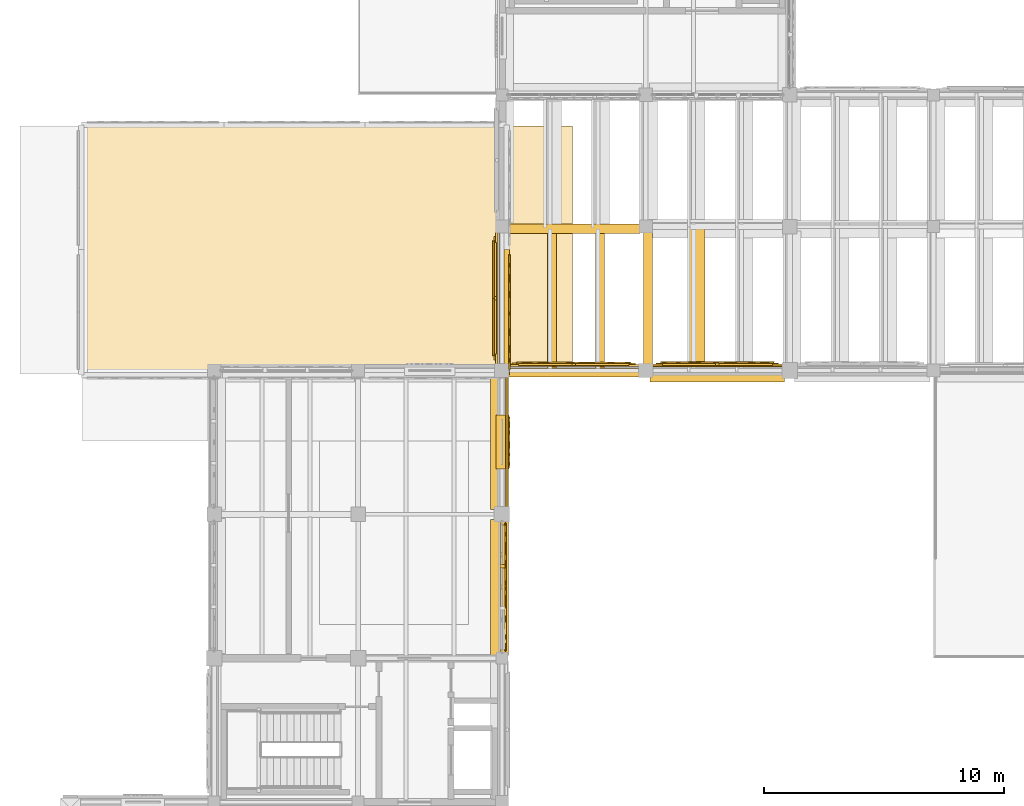
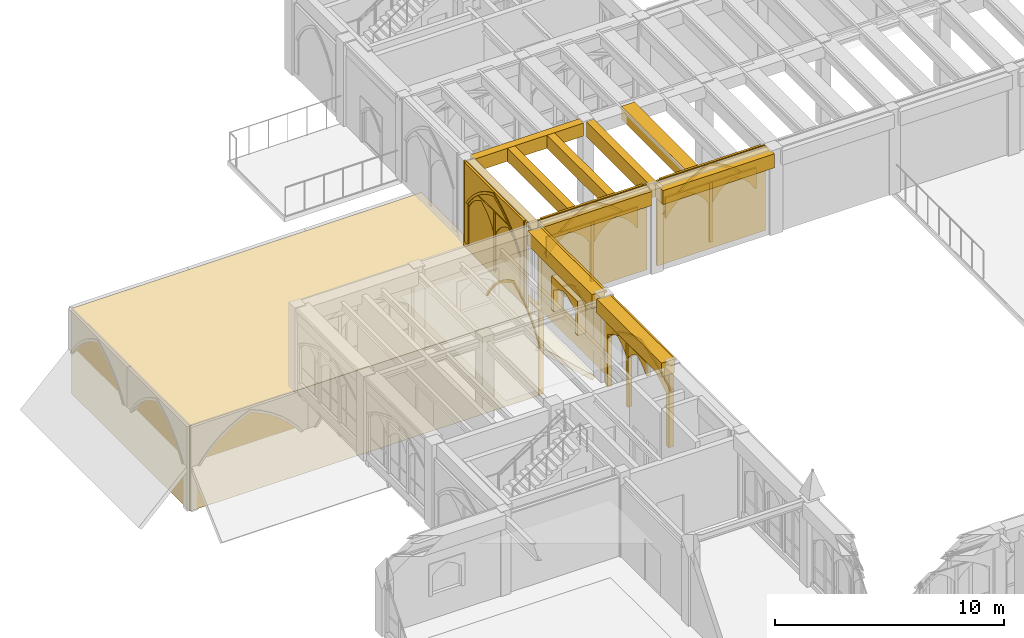
# One storey, part 97 of 127: 43 coverings.
"""IFC4 building model written with IfcOpenShell, lengths in metres."""

from ifc_helpers import new_model, si_unit, direction, frame, origin, origin_2d, place, context, subcontext, project, spatial, polyline, rectangle, outline, extrude, material, type_object, element, save


model = new_model("IFC4")

# Units and contexts
model_context = context("Model", 3, precision=1e-05, world=origin(), true_north=direction((0.0, 1.0)))
body_context = subcontext(model_context, "Body", "Model", "MODEL_VIEW")
ifc_project = project(units=[si_unit("LENGTHUNIT", "METRE"), si_unit("AREAUNIT", "SQUARE_METRE"), si_unit("VOLUMEUNIT", "CUBIC_METRE"), si_unit("PLANEANGLEUNIT", "RADIAN"), si_unit("MASSUNIT", "GRAM", prefix="KILO")], contexts=[model_context])

# Site, building, storey
site_placement = place(None, origin())
site = spatial("IfcSite", under=ifc_project, at=site_placement, CompositionType="ELEMENT")
building_placement = place(site_placement, origin())
building = spatial("IfcBuilding", under=site, at=building_placement, Name="Cumevento Cable Car Station", CompositionType="ELEMENT")
storey_placement = place(building_placement, frame((0.0, 0.0, 4.5)))
storey = spatial("IfcBuildingStorey", under=building, at=storey_placement, Name="L02", CompositionType="ELEMENT", Elevation=4.5)

# Coverings
ifc_material = material(Name="Gnaisse Facoidal Stone Ashlar 85 MPa", Category="masonry")
covering_type = type_object("IfcCoveringType", Name="Gnaisse Ashlar Cladding CV-CL01", PredefinedType="CLADDING", material=ifc_material)
covering_1_placement = place(storey_placement, frame((21.85009765625, 35.96240234375, 3.718017578125), z_axis=(0.0, 0.0, 1.0), x_axis=(0.0, -1.0, 0.0)))
element("IfcCovering", 1, at=covering_1_placement, inside=storey, type_object=covering_type, Name="Gothic Stone Spandrel Stringcourse sc:0348", PredefinedType="CLADDING", context=body_context, shape_type="SweptSolid", body=[
    extrude(rectangle(XDim=5.6650390625, YDim=0.659912109375, at=origin_2d()), origin(), (0.0, 0.0, 1.0), 0.7470703125),
])
covering_2_placement = place(storey_placement, frame((22.20751953125, 35.96240234375, 4.3349609375), z_axis=(0.0, 0.0, 1.0), x_axis=(0.0, -1.0, 0.0)))
element("IfcCovering", 2, at=covering_2_placement, inside=storey, type_object=covering_type, Name="Gothic Cornice Dripstone Lip sc:0348", PredefinedType="CLADDING", context=body_context, shape_type="SweptSolid", body=[
    extrude(rectangle(XDim=5.705078125, YDim=0.114990234375, at=origin_2d()), origin(), (0.0, 0.0, 1.0), 0.1298828125),
])
covering_3_placement = place(storey_placement, frame((21.85009765625, 42.012451171875, 3.682861328125), z_axis=(0.0, 0.0, 1.0), x_axis=(0.0, -1.0, 0.0)))
element("IfcCovering", 3, at=covering_3_placement, inside=storey, type_object=covering_type, Name="Gothic Stone Spandrel Stringcourse sc:0349", PredefinedType="CLADDING", context=body_context, shape_type="SweptSolid", body=[
    extrude(rectangle(XDim=5.614990234375, YDim=0.659912109375, at=origin_2d()), origin(), (0.0, 0.0, 1.0), 0.7470703125),
])
covering_4_placement = place(storey_placement, frame((22.20751953125, 42.012451171875, 4.300048828125), z_axis=(0.0, 0.0, 1.0), x_axis=(0.0, -1.0, 0.0)))
element("IfcCovering", 4, at=covering_4_placement, inside=storey, type_object=covering_type, Name="Gothic Cornice Dripstone Lip sc:0349", PredefinedType="CLADDING", context=body_context, shape_type="SweptSolid", body=[
    extrude(rectangle(XDim=5.655029296875, YDim=0.114990234375, at=origin_2d()), origin(), (0.0, 0.0, 1.0), 0.1298828125),
])
covering_5_placement = place(storey_placement, frame((25.0, 44.909912109375, 3.682861328125), z_axis=(0.0, 0.0, 1.0), x_axis=(1.0, 0.0, 0.0)))
element("IfcCovering", 5, at=covering_5_placement, inside=storey, type_object=covering_type, Name="Gothic Stone Spandrel Stringcourse sc:0350", PredefinedType="CLADDING", context=body_context, shape_type="SweptSolid", body=[
    extrude(rectangle(XDim=5.4599609375, YDim=0.3798828125, at=origin_2d()), origin(), (0.0, 0.0, 1.0), 0.7470703125),
])
covering_6_placement = place(storey_placement, frame((30.987548828125, 44.85009765625, 3.682861328125), z_axis=(0.0, 0.0, 1.0), x_axis=(1.0, 0.0, 0.0)))
element("IfcCovering", 6, at=covering_6_placement, inside=storey, type_object=covering_type, Name="Gothic Stone Spandrel Stringcourse sc:0351", PredefinedType="CLADDING", context=body_context, shape_type="SweptSolid", body=[
    extrude(rectangle(XDim=5.614990234375, YDim=0.659912109375, at=origin_2d()), origin(), (0.0, 0.0, 1.0), 0.7470703125),
])
covering_7_placement = place(storey_placement, frame((30.987548828125, 45.20751953125, 4.300048828125), z_axis=(0.0, 0.0, 1.0), x_axis=(1.0, 0.0, 0.0)))
element("IfcCovering", 7, at=covering_7_placement, inside=storey, type_object=covering_type, Name="Gothic Cornice Dripstone Lip sc:0351", PredefinedType="CLADDING", context=body_context, shape_type="SweptSolid", body=[
    extrude(rectangle(XDim=5.655029296875, YDim=0.114990234375, at=origin_2d()), origin(), (0.0, 0.0, 1.0), 0.1298828125),
])
covering_8_placement = place(storey_placement, frame((25.0, 50.909912109375, 3.73583984375), z_axis=(0.0, 0.0, 1.0), x_axis=(1.0, 0.0, 0.0)))
element("IfcCovering", 8, at=covering_8_placement, inside=storey, type_object=covering_type, Name="Gothic Stone Spandrel Stringcourse sc:0355", PredefinedType="CLADDING", context=body_context, shape_type="SweptSolid", body=[
    extrude(rectangle(XDim=5.510009765625, YDim=0.3798828125, at=origin_2d()), origin(), (0.0, 0.0, 1.0), 0.694091796875),
])
covering_9_placement = place(storey_placement, frame((22.090087890625, 48.012451171875, 3.682861328125), z_axis=(0.0, 0.0, 1.0), x_axis=(0.0, 1.0, 0.0)))
element("IfcCovering", 9, at=covering_9_placement, inside=storey, type_object=covering_type, Name="Gothic Stone Spandrel Stringcourse sc:0365", PredefinedType="CLADDING", context=body_context, shape_type="SweptSolid", body=[
    extrude(rectangle(XDim=5.485107421875, YDim=0.3798828125, at=origin_2d()), origin(), (0.0, 0.0, 1.0), 0.7470703125),
])
covering_10_placement = place(storey_placement, frame((28.090087890625, 48.012451171875, 3.6328125), z_axis=(0.0, 0.0, 1.0), x_axis=(0.0, 1.0, 0.0)))
element("IfcCovering", 10, at=covering_10_placement, inside=storey, type_object=covering_type, Name="Gothic Stone Spandrel Stringcourse sc:0367", PredefinedType="CLADDING", context=body_context, shape_type="SweptSolid", body=[
    extrude(rectangle(XDim=5.485107421875, YDim=0.3798828125, at=origin_2d()), origin(), (0.0, 0.0, 1.0), 0.797119140625),
])
for number, where, z_axis, x_axis, name in (
    (11, (24.090087890625, 47.9931640625, 3.73486328125), (0.0, 0.0, 1.0), (0.0, 1.0, 0.0), "Gothic Stone Spandrel Stringcourse sc:0492"),
    (12, (26.090087890625, 47.9931640625, 3.73486328125), (0.0, 0.0, 1.0), (0.0, 1.0, 0.0), "Gothic Stone Spandrel Stringcourse sc:0494"),
):
    element("IfcCovering", number, at=place(storey_placement, frame(where, z_axis=z_axis, x_axis=x_axis)), inside=storey, type_object=covering_type, Name=name, PredefinedType="CLADDING", context=body_context, shape_type="SweptSolid", body=[
        extrude(rectangle(XDim=5.892578125, YDim=0.3798828125, at=origin_2d()), origin(), (0.0, 0.0, 1.0), 0.695068359375),
    ])
covering_11_placement = place(storey_placement, frame((30.14990234375, 47.98095703125, 3.73486328125), z_axis=(0.0, 0.0, 1.0), x_axis=(0.0, 1.0, 0.0)))
element("IfcCovering", 13, at=covering_11_placement, inside=storey, type_object=covering_type, Name="Gothic Stone Spandrel Stringcourse sc:0496", PredefinedType="CLADDING", context=body_context, shape_type="SweptSolid", body=[
    extrude(rectangle(XDim=6.048095703125, YDim=0.659912109375, at=origin_2d()), origin(), (0.0, 0.0, 1.0), 0.695068359375),
])
placement_1 = place(storey_placement, frame((22.0, 38.675048828125, -0.219970703125), z_axis=(0.0, 0.0, 1.0), x_axis=(0.0, -1.0, 0.0)))
element("IfcCovering", 14, at=placement_1, inside=storey, type_object=covering_type, Name="Gothic Ogival Pointed-Arch Stone Spandrel cw_ogival:0054", PredefinedType="CLADDING", context=body_context, shape_type="SweptSolid", body=[
    extrude(outline(polyline([(-0.080078125, 0.0), (-0.080078125, 4.077880859375), (5.5048828125, 4.077880859375), (5.5048828125, 0.0), (5.264892578125, 0.0), (5.264892578125, 2.803466796875), (4.969970703125, 2.988037109375), (4.66650390625, 3.158935546875), (4.355712890625, 3.315673828125), (4.0380859375, 3.4580078125), (3.71435546875, 3.585693359375), (3.385009765625, 3.698486328125), (3.05078125, 3.7958984375), (2.71240234375, 3.8779296875), (2.374267578125, 3.7958984375), (2.0400390625, 3.698486328125), (1.710693359375, 3.585693359375), (1.386962890625, 3.4580078125), (1.0693359375, 3.315673828125), (0.758544921875, 3.158935546875), (0.455078125, 2.988037109375), (0.159912109375, 2.803466796875), (0.159912109375, 0.0), (-0.080078125, 0.0)])), frame((0.0, 0.139892578125, 0.0), z_axis=(0.0, -1.0, 0.0), x_axis=(1.0, 0.0, 0.0)), (0.0, 0.0, 1.0), 0.219970703125),
])
covering_13_placement = place(storey_placement, frame((22.0, 38.675048828125, 2.58349609375), z_axis=(0.0, 0.0, 1.0), x_axis=(0.0, -1.0, 0.0)))
element("IfcCovering", 15, at=covering_13_placement, inside=storey, type_object=covering_type, Name="Gothic Pointed Archivolt Hood Moulding cw_ogival:0054", PredefinedType="CLADDING", context=body_context, shape_type="SweptSolid", body=[
    extrude(outline(polyline([(0.159912109375, 0.0), (0.455078125, 0.1845703125), (0.758544921875, 0.35546875), (1.0693359375, 0.51220703125), (1.386962890625, 0.654541015625), (1.710693359375, 0.7822265625), (2.0400390625, 0.89501953125), (2.374267578125, 0.992431640625), (2.71240234375, 1.074462890625), (3.05078125, 0.992431640625), (3.385009765625, 0.89501953125), (3.71435546875, 0.7822265625), (4.0380859375, 0.654541015625), (4.355712890625, 0.51220703125), (4.66650390625, 0.35546875), (4.969970703125, 0.1845703125), (5.264892578125, 0.0), (5.375, 0.0), (5.071044921875, 0.20751953125), (4.75732421875, 0.39990234375), (4.4345703125, 0.57666015625), (4.103515625, 0.7373046875), (3.764892578125, 0.88134765625), (3.419677734375, 1.0087890625), (3.068603515625, 1.119140625), (2.71240234375, 1.2119140625), (2.3564453125, 1.119140625), (2.00537109375, 1.0087890625), (1.66015625, 0.88134765625), (1.321533203125, 0.7373046875), (0.990478515625, 0.57666015625), (0.667724609375, 0.39990234375), (0.35400390625, 0.20751953125), (0.050048828125, 0.0), (0.159912109375, 0.0)])), frame((0.0, 0.181884765625, 0.0), z_axis=(0.0, -1.0, 0.0), x_axis=(1.0, 0.0, 0.0)), (0.0, 0.0, 1.0), 0.06689453125),
])
element("IfcCovering", 16, at=placement_1, inside=storey, type_object=covering_type, Name="Gothic Bifora Stone Colonnette cw_ogival:0054 #1", PredefinedType="CLADDING", context=body_context, shape_type="SweptSolid", body=[
    extrude(outline(polyline([(1.76171875, -0.02001953125), (1.91162109375, -0.02001953125), (1.91162109375, 3.3623046875), (1.76171875, 3.3623046875), (1.76171875, -0.02001953125)])), frame((0.0, 0.1279296875, 0.0), z_axis=(0.0, -1.0, 0.0), x_axis=(1.0, 0.0, 0.0)), (0.0, 0.0, 1.0), 0.205078125),
])
for number, where, z_axis, x_axis, name in (
    (17, (22.0, 38.544921875, 2.403564453125), (0.0, 0.0, 1.0), (0.0, -1.0, 0.0), "Gothic Ogival Pointed-Arch Stone Spandrel cw_ogival:0054:sub:0"),
    (18, (22.0, 36.793212890625, 2.403564453125), (0.0, 0.0, 1.0), (0.0, -1.0, 0.0), "Gothic Ogival Pointed-Arch Stone Spandrel cw_ogival:0054:sub:1"),
):
    element("IfcCovering", number, at=place(storey_placement, frame(where, z_axis=z_axis, x_axis=x_axis)), inside=storey, type_object=covering_type, Name=name, PredefinedType="CLADDING", context=body_context, shape_type="SweptSolid", body=[
        extrude(outline(polyline([(-0.02001953125, 0.0), (-0.02001953125, 0.73876953125), (1.681640625, 0.73876953125), (1.681640625, 0.0), (1.62158203125, 0.0), (1.5185546875, 0.135009765625), (1.402099609375, 0.2587890625), (1.27392578125, 0.3701171875), (1.134765625, 0.468017578125), (0.986572265625, 0.551025390625), (0.830810546875, 0.61865234375), (0.675048828125, 0.551025390625), (0.52685546875, 0.468017578125), (0.3876953125, 0.3701171875), (0.259521484375, 0.2587890625), (0.14306640625, 0.135009765625), (0.0400390625, 0.0), (-0.02001953125, 0.0)])), frame((0.0, 0.1240234375, 0.0), z_axis=(0.0, -1.0, 0.0), x_axis=(1.0, 0.0, 0.0)), (0.0, 0.0, 1.0), 0.199951171875),
    ])
covering_15_placement = place(storey_placement, frame((22.300048828125, 45.0, 0.0), z_axis=(0.0, 0.0, 1.0), x_axis=(1.0, 0.0, 0.0)))
element("IfcCovering", 19, at=covering_15_placement, inside=storey, type_object=covering_type, Name="Exterior Gnaisse Stone Wall Ashlar #21", PredefinedType="CLADDING", context=body_context, shape_type="SweptSolid", body=[
    extrude(outline(polyline([(-0.0400390625, -0.02001953125), (5.43994140625, -0.02001953125), (5.43994140625, 4.52001953125), (-0.0400390625, 4.52001953125), (-0.0400390625, -0.02001953125)])), frame((0.0, 0.25, 0.0), z_axis=(0.0, -1.0, 0.0), x_axis=(1.0, 0.0, 0.0)), (0.0, 0.0, 1.0), 0.0849609375),
])
placement_2 = place(storey_placement, frame((22.47998046875, 45.0, 0.300048828125), z_axis=(0.0, 0.0, 1.0), x_axis=(1.0, 0.0, 0.0)))
element("IfcCovering", 20, at=placement_2, inside=storey, type_object=covering_type, Name="Gothic Ogival Pointed-Arch Stone Spandrel blind_ogival:0021", PredefinedType="CLADDING", context=body_context, shape_type="SweptSolid", body=[
    extrude(outline(polyline([(-0.050048828125, 0.0), (-0.050048828125, 4.239990234375), (5.090087890625, 4.239990234375), (5.090087890625, 0.0), (4.780029296875, 0.0), (4.780029296875, 2.219970703125), (4.531982421875, 2.55810546875), (4.255126953125, 2.872802734375), (3.951416015625, 3.161865234375), (3.62353515625, 3.423095703125), (3.273681640625, 3.654296875), (2.905029296875, 3.853759765625), (2.52001953125, 4.02001953125), (2.135009765625, 3.853759765625), (1.766357421875, 3.654296875), (1.41650390625, 3.423095703125), (1.088623046875, 3.161865234375), (0.784912109375, 2.872802734375), (0.508056640625, 2.55810546875), (0.260009765625, 2.219970703125), (0.260009765625, 0.0), (-0.050048828125, 0.0)])), frame((0.0, 0.304931640625, 0.0), z_axis=(0.0, -1.0, 0.0), x_axis=(1.0, 0.0, 0.0)), (0.0, 0.0, 1.0), 0.110107421875),
])
covering_17_placement = place(storey_placement, frame((22.47998046875, 45.0, 2.52001953125), z_axis=(0.0, 0.0, 1.0), x_axis=(1.0, 0.0, 0.0)))
element("IfcCovering", 21, at=covering_17_placement, inside=storey, type_object=covering_type, Name="Gothic Pointed Archivolt Hood Moulding blind_ogival:0021", PredefinedType="CLADDING", context=body_context, shape_type="SweptSolid", body=[
    extrude(outline(polyline([(0.260009765625, 0.0), (0.508056640625, 0.338134765625), (0.784912109375, 0.65283203125), (1.088623046875, 0.94189453125), (1.41650390625, 1.203125), (1.766357421875, 1.434326171875), (2.135009765625, 1.6337890625), (2.52001953125, 1.800048828125), (2.905029296875, 1.6337890625), (3.273681640625, 1.434326171875), (3.62353515625, 1.203125), (3.951416015625, 0.94189453125), (4.255126953125, 0.65283203125), (4.531982421875, 0.338134765625), (4.780029296875, 0.0), (4.90087890625, 0.0), (4.6435546875, 0.365478515625), (4.354248046875, 0.706298828125), (4.03564453125, 1.01953125), (3.689697265625, 1.302978515625), (3.31982421875, 1.553955078125), (2.928955078125, 1.770751953125), (2.52001953125, 1.951171875), (2.111083984375, 1.770751953125), (1.72021484375, 1.553955078125), (1.350341796875, 1.302978515625), (1.00439453125, 1.01953125), (0.685791015625, 0.706298828125), (0.396484375, 0.365478515625), (0.138916015625, 0.0), (0.260009765625, 0.0)])), frame((0.0, 0.346923828125, 0.0), z_axis=(0.0, -1.0, 0.0), x_axis=(1.0, 0.0, 0.0)), (0.0, 0.0, 1.0), 0.06689453125),
])
element("IfcCovering", 22, at=placement_2, inside=storey, type_object=covering_type, Name="Gothic Bifora Stone Colonnette blind_ogival:0021 #1", PredefinedType="CLADDING", context=body_context, shape_type="SweptSolid", body=[
    extrude(outline(polyline([(2.445068359375, -0.02001953125), (2.594970703125, -0.02001953125), (2.594970703125, 3.156005859375), (2.445068359375, 3.156005859375), (2.445068359375, -0.02001953125)])), frame((0.0, 0.29296875, 0.0), z_axis=(0.0, -1.0, 0.0), x_axis=(1.0, 0.0, 0.0)), (0.0, 0.0, 1.0), 0.094970703125),
])
for number, where, z_axis, x_axis, name in (
    (23, (22.7099609375, 45.0, 2.340087890625), (0.0, 0.0, 1.0), (1.0, 0.0, 0.0), "Gothic Ogival Pointed-Arch Stone Spandrel blind_ogival:0021:sub:0"),
    (24, (25.044921875, 45.0, 2.340087890625), (0.0, 0.0, 1.0), (1.0, 0.0, 0.0), "Gothic Ogival Pointed-Arch Stone Spandrel blind_ogival:0021:sub:1"),
):
    element("IfcCovering", number, at=place(storey_placement, frame(where, z_axis=z_axis, x_axis=x_axis)), inside=storey, type_object=covering_type, Name=name, PredefinedType="CLADDING", context=body_context, shape_type="SweptSolid", body=[
        extrude(outline(polyline([(-0.02001953125, 0.0), (-0.02001953125, 1.115966796875), (2.264892578125, 1.115966796875), (2.264892578125, 0.0), (2.205078125, 0.0), (2.076171875, 0.214111328125), (1.923828125, 0.412109375), (1.75, 0.591552734375), (1.556640625, 0.75), (1.3466796875, 0.88525390625), (1.12255859375, 0.99609375), (0.8984375, 0.88525390625), (0.6884765625, 0.75), (0.4951171875, 0.591552734375), (0.3212890625, 0.412109375), (0.1689453125, 0.214111328125), (0.0400390625, 0.0), (-0.02001953125, 0.0)])), frame((0.0, 0.2890625, 0.0), z_axis=(0.0, -1.0, 0.0), x_axis=(1.0, 0.0, 0.0)), (0.0, 0.0, 1.0), 0.090087890625),
    ])
covering_19_placement = place(storey_placement, frame((28.300048828125, 45.0, 0.0), z_axis=(0.0, 0.0, 1.0), x_axis=(1.0, 0.0, 0.0)))
element("IfcCovering", 25, at=covering_19_placement, inside=storey, type_object=covering_type, Name="Exterior Gnaisse Stone Wall Ashlar #22", PredefinedType="CLADDING", context=body_context, shape_type="SweptSolid", body=[
    extrude(outline(polyline([(-0.0400390625, -0.02001953125), (5.4150390625, -0.02001953125), (5.4150390625, 4.52001953125), (-0.0400390625, 4.52001953125), (-0.0400390625, -0.02001953125)])), frame((0.0, 0.262451171875, 0.0), z_axis=(0.0, -1.0, 0.0), x_axis=(1.0, 0.0, 0.0)), (0.0, 0.0, 1.0), 0.0849609375),
])
placement_3 = place(storey_placement, frame((28.47998046875, 45.0, 0.300048828125), z_axis=(0.0, 0.0, 1.0), x_axis=(1.0, 0.0, 0.0)))
element("IfcCovering", 26, at=placement_3, inside=storey, type_object=covering_type, Name="Gothic Ogival Pointed-Arch Stone Spandrel blind_ogival:0022", PredefinedType="CLADDING", context=body_context, shape_type="SweptSolid", body=[
    extrude(outline(polyline([(-0.050048828125, 0.0), (-0.050048828125, 4.239990234375), (5.06494140625, 4.239990234375), (5.06494140625, 0.0), (4.7548828125, 0.0), (4.7548828125, 2.219970703125), (4.509033203125, 2.557861328125), (4.23388671875, 2.87255859375), (3.932373046875, 3.16162109375), (3.60595703125, 3.4228515625), (3.258056640625, 3.654296875), (2.890869140625, 3.853759765625), (2.507568359375, 4.02001953125), (2.1240234375, 3.853759765625), (1.7568359375, 3.654296875), (1.408935546875, 3.4228515625), (1.08251953125, 3.16162109375), (0.781005859375, 2.87255859375), (0.505859375, 2.557861328125), (0.260009765625, 2.219970703125), (0.260009765625, 0.0), (-0.050048828125, 0.0)])), frame((0.0, 0.3173828125, 0.0), z_axis=(0.0, -1.0, 0.0), x_axis=(1.0, 0.0, 0.0)), (0.0, 0.0, 1.0), 0.110107421875),
])
covering_21_placement = place(storey_placement, frame((28.47998046875, 45.0, 2.52001953125), z_axis=(0.0, 0.0, 1.0), x_axis=(1.0, 0.0, 0.0)))
element("IfcCovering", 27, at=covering_21_placement, inside=storey, type_object=covering_type, Name="Gothic Pointed Archivolt Hood Moulding blind_ogival:0022", PredefinedType="CLADDING", context=body_context, shape_type="SweptSolid", body=[
    extrude(outline(polyline([(0.260009765625, 0.0), (0.505859375, 0.337890625), (0.781005859375, 0.652587890625), (1.08251953125, 0.941650390625), (1.408935546875, 1.202880859375), (1.7568359375, 1.434326171875), (2.1240234375, 1.6337890625), (2.507568359375, 1.800048828125), (2.890869140625, 1.6337890625), (3.258056640625, 1.434326171875), (3.60595703125, 1.202880859375), (3.932373046875, 0.941650390625), (4.23388671875, 0.652587890625), (4.509033203125, 0.337890625), (4.7548828125, 0.0), (4.8759765625, 0.0), (4.62060546875, 0.365234375), (4.333251953125, 0.7060546875), (4.016357421875, 1.019287109375), (3.67236328125, 1.302734375), (3.30419921875, 1.5537109375), (2.914794921875, 1.7705078125), (2.507568359375, 1.951171875), (2.10009765625, 1.7705078125), (1.710693359375, 1.5537109375), (1.342529296875, 1.302734375), (0.99853515625, 1.019287109375), (0.681640625, 0.7060546875), (0.394287109375, 0.365234375), (0.138916015625, 0.0), (0.260009765625, 0.0)])), frame((0.0, 0.359619140625, 0.0), z_axis=(0.0, -1.0, 0.0), x_axis=(1.0, 0.0, 0.0)), (0.0, 0.0, 1.0), 0.06689453125),
])
element("IfcCovering", 28, at=placement_3, inside=storey, type_object=covering_type, Name="Gothic Bifora Stone Colonnette blind_ogival:0022 #1", PredefinedType="CLADDING", context=body_context, shape_type="SweptSolid", body=[
    extrude(outline(polyline([(2.4326171875, -0.02001953125), (2.58251953125, -0.02001953125), (2.58251953125, 3.156005859375), (2.4326171875, 3.156005859375), (2.4326171875, -0.02001953125)])), frame((0.0, 0.305419921875, 0.0), z_axis=(0.0, -1.0, 0.0), x_axis=(1.0, 0.0, 0.0)), (0.0, 0.0, 1.0), 0.094970703125),
])
for number, where, z_axis, x_axis, name in (
    (29, (28.7099609375, 45.0, 2.340087890625), (0.0, 0.0, 1.0), (1.0, 0.0, 0.0), "Gothic Ogival Pointed-Arch Stone Spandrel blind_ogival:0022:sub:0"),
    (30, (31.032470703125, 45.0, 2.340087890625), (0.0, 0.0, 1.0), (1.0, 0.0, 0.0), "Gothic Ogival Pointed-Arch Stone Spandrel blind_ogival:0022:sub:1"),
):
    element("IfcCovering", number, at=place(storey_placement, frame(where, z_axis=z_axis, x_axis=x_axis)), inside=storey, type_object=covering_type, Name=name, PredefinedType="CLADDING", context=body_context, shape_type="SweptSolid", body=[
        extrude(outline(polyline([(-0.02001953125, 0.0), (-0.02001953125, 1.115966796875), (2.25244140625, 1.115966796875), (2.25244140625, 0.0), (2.1923828125, 0.0), (2.064697265625, 0.2138671875), (1.91357421875, 0.411865234375), (1.74072265625, 0.59130859375), (1.54833984375, 0.749755859375), (1.33935546875, 0.88525390625), (1.1162109375, 0.99609375), (0.89306640625, 0.88525390625), (0.68408203125, 0.749755859375), (0.49169921875, 0.59130859375), (0.31884765625, 0.411865234375), (0.167724609375, 0.2138671875), (0.0400390625, 0.0), (-0.02001953125, 0.0)])), frame((0.0, 0.301513671875, 0.0), z_axis=(0.0, -1.0, 0.0), x_axis=(1.0, 0.0, 0.0)), (0.0, 0.0, 1.0), 0.090087890625),
    ])
covering_23_placement = place(storey_placement, frame((22.0, 45.300048828125, 0.0), z_axis=(0.0, 0.0, 1.0), x_axis=(0.0, 1.0, 0.0)))
element("IfcCovering", 31, at=covering_23_placement, inside=storey, type_object=covering_type, Name="Exterior Gnaisse Stone Wall Ashlar #29", PredefinedType="CLADDING", context=body_context, shape_type="SweptSolid", body=[
    extrude(outline(polyline([(-0.0400390625, -0.02001953125), (5.465087890625, -0.02001953125), (5.465087890625, 4.52001953125), (-0.0400390625, 4.52001953125), (-0.0400390625, -0.02001953125)])), frame((0.0, 0.27490234375, 0.0), z_axis=(0.0, -1.0, 0.0), x_axis=(1.0, 0.0, 0.0)), (0.0, 0.0, 1.0), 0.0849609375),
])
placement_4 = place(storey_placement, frame((22.0, 45.47998046875, 0.300048828125), z_axis=(0.0, 0.0, 1.0), x_axis=(0.0, 1.0, 0.0)))
element("IfcCovering", 32, at=placement_4, inside=storey, type_object=covering_type, Name="Gothic Ogival Pointed-Arch Stone Spandrel blind_ogival:0029", PredefinedType="CLADDING", context=body_context, shape_type="SweptSolid", body=[
    extrude(outline(polyline([(-0.050048828125, 0.0), (-0.050048828125, 4.239990234375), (5.114990234375, 4.239990234375), (5.114990234375, 0.0), (4.804931640625, 0.0), (4.804931640625, 2.219970703125), (4.554931640625, 2.55810546875), (4.27587890625, 2.873046875), (3.970458984375, 3.162109375), (3.640625, 3.42333984375), (3.289306640625, 3.654541015625), (2.9189453125, 3.85400390625), (2.532470703125, 4.02001953125), (2.14599609375, 3.85400390625), (1.775634765625, 3.654541015625), (1.42431640625, 3.42333984375), (1.094482421875, 3.162109375), (0.7890625, 2.873046875), (0.510009765625, 2.55810546875), (0.260009765625, 2.219970703125), (0.260009765625, 0.0), (-0.050048828125, 0.0)])), frame((0.0, 0.330078125, 0.0), z_axis=(0.0, -1.0, 0.0), x_axis=(1.0, 0.0, 0.0)), (0.0, 0.0, 1.0), 0.110107421875),
])
covering_25_placement = place(storey_placement, frame((22.0, 45.47998046875, 2.52001953125), z_axis=(0.0, 0.0, 1.0), x_axis=(0.0, 1.0, 0.0)))
element("IfcCovering", 33, at=covering_25_placement, inside=storey, type_object=covering_type, Name="Gothic Pointed Archivolt Hood Moulding blind_ogival:0029", PredefinedType="CLADDING", context=body_context, shape_type="SweptSolid", body=[
    extrude(outline(polyline([(0.260009765625, 0.0), (0.510009765625, 0.338134765625), (0.7890625, 0.653076171875), (1.094482421875, 0.942138671875), (1.42431640625, 1.203369140625), (1.775634765625, 1.4345703125), (2.14599609375, 1.634033203125), (2.532470703125, 1.800048828125), (2.9189453125, 1.634033203125), (3.289306640625, 1.4345703125), (3.640625, 1.203369140625), (3.970458984375, 0.942138671875), (4.27587890625, 0.653076171875), (4.554931640625, 0.338134765625), (4.804931640625, 0.0), (4.926025390625, 0.0), (4.66650390625, 0.36572265625), (4.375244140625, 0.70654296875), (4.054443359375, 1.019775390625), (3.70703125, 1.30322265625), (3.33544921875, 1.55419921875), (2.94287109375, 1.770751953125), (2.532470703125, 1.951171875), (2.1220703125, 1.770751953125), (1.7294921875, 1.55419921875), (1.35791015625, 1.30322265625), (1.010498046875, 1.019775390625), (0.689697265625, 0.70654296875), (0.3984375, 0.36572265625), (0.138916015625, 0.0), (0.260009765625, 0.0)])), frame((0.0, 0.3720703125, 0.0), z_axis=(0.0, -1.0, 0.0), x_axis=(1.0, 0.0, 0.0)), (0.0, 0.0, 1.0), 0.06689453125),
])
element("IfcCovering", 34, at=placement_4, inside=storey, type_object=covering_type, Name="Gothic Bifora Stone Colonnette blind_ogival:0029 #1", PredefinedType="CLADDING", context=body_context, shape_type="SweptSolid", body=[
    extrude(outline(polyline([(2.45751953125, -0.02001953125), (2.607421875, -0.02001953125), (2.607421875, 3.156005859375), (2.45751953125, 3.156005859375), (2.45751953125, -0.02001953125)])), frame((0.0, 0.318115234375, 0.0), z_axis=(0.0, -1.0, 0.0), x_axis=(1.0, 0.0, 0.0)), (0.0, 0.0, 1.0), 0.094970703125),
])
for number, where, z_axis, x_axis, name in (
    (35, (22.0, 45.7099609375, 2.340087890625), (0.0, 0.0, 1.0), (0.0, 1.0, 0.0), "Gothic Ogival Pointed-Arch Stone Spandrel blind_ogival:0029:sub:0"),
    (36, (22.0, 48.0576171875, 2.340087890625), (0.0, 0.0, 1.0), (0.0, 1.0, 0.0), "Gothic Ogival Pointed-Arch Stone Spandrel blind_ogival:0029:sub:1"),
):
    element("IfcCovering", number, at=place(storey_placement, frame(where, z_axis=z_axis, x_axis=x_axis)), inside=storey, type_object=covering_type, Name=name, PredefinedType="CLADDING", context=body_context, shape_type="SweptSolid", body=[
        extrude(outline(polyline([(-0.02001953125, 0.0), (-0.02001953125, 1.115966796875), (2.277587890625, 1.115966796875), (2.277587890625, 0.0), (2.217529296875, 0.0), (2.08740234375, 0.214111328125), (1.933837890625, 0.412353515625), (1.7587890625, 0.591796875), (1.564697265625, 0.75), (1.353759765625, 0.885498046875), (1.128662109375, 0.99609375), (0.90380859375, 0.885498046875), (0.69287109375, 0.75), (0.498779296875, 0.591796875), (0.32373046875, 0.412353515625), (0.170166015625, 0.214111328125), (0.0400390625, 0.0), (-0.02001953125, 0.0)])), frame((0.0, 0.31396484375, 0.0), z_axis=(0.0, -1.0, 0.0), x_axis=(1.0, 0.0, 0.0)), (0.0, 0.0, 1.0), 0.090087890625),
    ])
covering_27_placement = place(storey_placement, frame((22.0, 44.699951171875, 0.0), z_axis=(0.0, 0.0, 1.0), x_axis=(0.0, -1.0, 0.0)))
element("IfcCovering", 37, at=covering_27_placement, inside=storey, type_object=covering_type, Name="Exterior Gnaisse Stone Wall Ashlar #194", PredefinedType="CLADDING", context=body_context, shape_type="SweptSolid", body=[
    extrude(outline(polyline([(-0.0400390625, -0.02001953125), (5.4150390625, -0.02001953125), (5.4150390625, 3.762939453125), (-0.0400390625, 3.762939453125), (-0.0400390625, -0.02001953125)]), holes=[polyline([(1.74755859375, 1.2099609375), (3.62744140625, 1.2099609375), (3.62744140625, 2.739990234375), (1.74755859375, 2.739990234375), (1.74755859375, 1.2099609375)])]), frame((0.0, 0.25244140625, 0.0), z_axis=(0.0, -1.0, 0.0), x_axis=(1.0, 0.0, 0.0)), (0.0, 0.0, 1.0), 0.0849609375),
])
covering_28_placement = place(storey_placement, frame((22.0, 43.1025390625, 1.14990234375), z_axis=(0.0, 0.0, 1.0), x_axis=(0.0, -1.0, 0.0)))
element("IfcCovering", 38, at=covering_28_placement, inside=storey, type_object=covering_type, Name="Gothic Ogival Pointed-Arch Stone Spandrel op_ogival:0194:1", PredefinedType="CLADDING", context=body_context, shape_type="SweptSolid", body=[
    extrude(outline(polyline([(-0.0400390625, 0.0), (-0.0400390625, 1.820068359375), (2.219970703125, 1.820068359375), (2.219970703125, 0.0), (2.0400390625, 0.0), (2.0400390625, 1.166015625), (1.91796875, 1.2578125), (1.79052734375, 1.34228515625), (1.658203125, 1.418701171875), (1.521484375, 1.48681640625), (1.380859375, 1.546630859375), (1.23681640625, 1.59765625), (1.090087890625, 1.64013671875), (0.943115234375, 1.59765625), (0.799072265625, 1.546630859375), (0.658447265625, 1.48681640625), (0.521728515625, 1.418701171875), (0.389404296875, 1.34228515625), (0.261962890625, 1.2578125), (0.139892578125, 1.166015625), (0.139892578125, 0.0), (-0.0400390625, 0.0)])), frame((0.0, 0.29052734375, 0.0), z_axis=(0.0, -1.0, 0.0), x_axis=(1.0, 0.0, 0.0)), (0.0, 0.0, 1.0), 0.534912109375),
])
covering_29_placement = place(storey_placement, frame((22.0, 43.1025390625, 2.31591796875), z_axis=(0.0, 0.0, 1.0), x_axis=(0.0, -1.0, 0.0)))
element("IfcCovering", 39, at=covering_29_placement, inside=storey, type_object=covering_type, Name="Gothic Pointed Archivolt Hood Moulding op_ogival:0194:1", PredefinedType="CLADDING", context=body_context, shape_type="SweptSolid", body=[
    extrude(outline(polyline([(0.139892578125, 0.0), (0.261962890625, 0.091796875), (0.389404296875, 0.17626953125), (0.521728515625, 0.252685546875), (0.658447265625, 0.32080078125), (0.799072265625, 0.380615234375), (0.943115234375, 0.431640625), (1.090087890625, 0.47412109375), (1.23681640625, 0.431640625), (1.380859375, 0.380615234375), (1.521484375, 0.32080078125), (1.658203125, 0.252685546875), (1.79052734375, 0.17626953125), (1.91796875, 0.091796875), (2.0400390625, 0.0), (2.138916015625, 0.0), (2.00830078125, 0.114990234375), (1.8701171875, 0.220947265625), (1.72509765625, 0.3173828125), (1.57373046875, 0.403564453125), (1.4169921875, 0.479248046875), (1.255615234375, 0.5439453125), (1.090087890625, 0.59765625), (0.92431640625, 0.5439453125), (0.762939453125, 0.479248046875), (0.606201171875, 0.403564453125), (0.454833984375, 0.3173828125), (0.309814453125, 0.220947265625), (0.171630859375, 0.114990234375), (0.041015625, 0.0), (0.139892578125, 0.0)])), frame((0.0, 0.33251953125, 0.0), z_axis=(0.0, -1.0, 0.0), x_axis=(1.0, 0.0, 0.0)), (0.0, 0.0, 1.0), 0.06689453125),
])
covering_30_placement = place(storey_placement, frame((0.0, 0.0, -4.580078125)))
element("IfcCovering", 40, at=covering_30_placement, inside=storey, type_object=covering_type, Name="Stepped Gnaisse Hillside Terrain Shoulder SLOPE_NW_W.1", PredefinedType="CLADDING", context=body_context, shape_type="SweptSolid", body=[
    extrude(outline(polyline([(4.5, 44.85009765625), (4.5, 55.199951171875), (22.14990234375, 55.199951171875), (22.14990234375, 44.85009765625), (4.5, 44.85009765625)])), origin(), (0.0, 0.0, 1.0), 4.56005859375),
])
covering_31_placement = place(storey_placement, frame((22.14990234375, 50.02490234375, -4.52001953125), z_axis=(0.0, 0.0, 1.0), x_axis=(0.0, -1.0, 0.0)))
element("IfcCovering", 41, at=covering_31_placement, inside=storey, type_object=covering_type, Name="Gothic Ogival Pointed-Arch Stone Spandrel cumevento_plinth:bank_arch:SLOPE_NW_W:E:0", PredefinedType="CLADDING", context=body_context, shape_type="SweptSolid", body=[
    extrude(outline(polyline([(-0.030029296875, 0.0), (-0.030029296875, 4.52001953125), (5.205078125, 4.52001953125), (5.205078125, 0.0), (4.85498046875, 0.0), (4.85498046875, 2.25), (4.58203125, 2.69140625), (4.260986328125, 3.099365234375), (3.896240234375, 3.468505859375), (3.4921875, 3.79443359375), (3.05419921875, 4.07275390625), (2.58740234375, 4.300048828125), (2.120849609375, 4.07275390625), (1.682861328125, 3.79443359375), (1.27880859375, 3.468505859375), (0.9140625, 3.099365234375), (0.593017578125, 2.69140625), (0.320068359375, 2.25), (0.320068359375, 0.0), (-0.030029296875, 0.0)])), frame((0.0, 0.159912109375, 0.0), z_axis=(0.0, -1.0, 0.0), x_axis=(1.0, 0.0, 0.0)), (0.0, 0.0, 1.0), 0.219970703125),
])
covering_32_placement = place(storey_placement, frame((22.14990234375, 50.02490234375, -2.27001953125), z_axis=(0.0, 0.0, 1.0), x_axis=(0.0, -1.0, 0.0)))
element("IfcCovering", 42, at=covering_32_placement, inside=storey, type_object=covering_type, Name="Gothic Pointed Archivolt Hood Moulding cumevento_plinth:bank_arch:SLOPE_NW_W:E:0", PredefinedType="CLADDING", context=body_context, shape_type="SweptSolid", body=[
    extrude(outline(polyline([(0.320068359375, 0.0), (0.593017578125, 0.44140625), (0.9140625, 0.849365234375), (1.27880859375, 1.218505859375), (1.682861328125, 1.54443359375), (2.120849609375, 1.82275390625), (2.58740234375, 2.050048828125), (3.05419921875, 1.82275390625), (3.4921875, 1.54443359375), (3.896240234375, 1.218505859375), (4.260986328125, 0.849365234375), (4.58203125, 0.44140625), (4.85498046875, 0.0), (4.97607421875, 0.0), (4.69189453125, 0.47314453125), (4.35595703125, 0.91064453125), (3.97216796875, 1.30712890625), (3.545654296875, 1.657470703125), (3.082275390625, 1.956787109375), (2.58740234375, 2.201171875), (2.0927734375, 1.956787109375), (1.62939453125, 1.657470703125), (1.202880859375, 1.30712890625), (0.819091796875, 0.91064453125), (0.483154296875, 0.47314453125), (0.198974609375, 0.0), (0.320068359375, 0.0)])), frame((0.0, 0.201904296875, 0.0), z_axis=(0.0, -1.0, 0.0), x_axis=(1.0, 0.0, 0.0)), (0.0, 0.0, 1.0), 0.06689453125),
])
covering_33_placement = place(storey_placement, frame((24.949951171875, 44.85009765625, -4.5400390625), z_axis=(0.676481559293, 0.0, 0.736459571149), x_axis=(0.0, 1.0, 0.0)))
element("IfcCovering", 43, at=covering_33_placement, inside=storey, type_object=covering_type, Name="Sloped Gnaisse Hillside Talus SLOPE_NW_W E", PredefinedType="CLADDING", context=body_context, shape_type="SweptSolid", body=[
    extrude(outline(polyline([(0.0, 0.0), (10.349853515625, 0.0), (10.349853515625, 3.8832590318428775), (0.0, 3.8832590318428775), (0.0, 0.0)])), origin(), (0.0, 0.0, -1.0), 0.219970703125),
])

save(model, "model.ifc")
